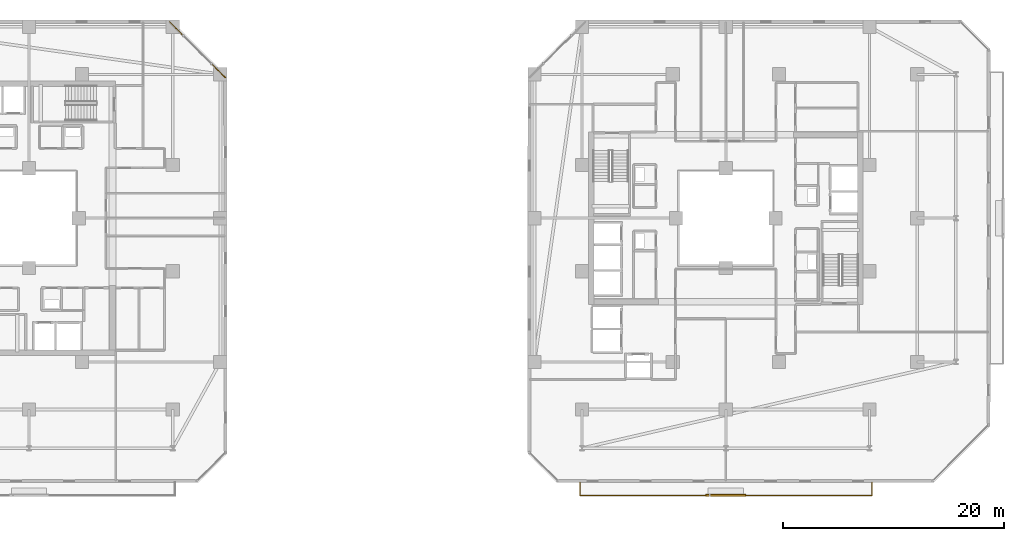
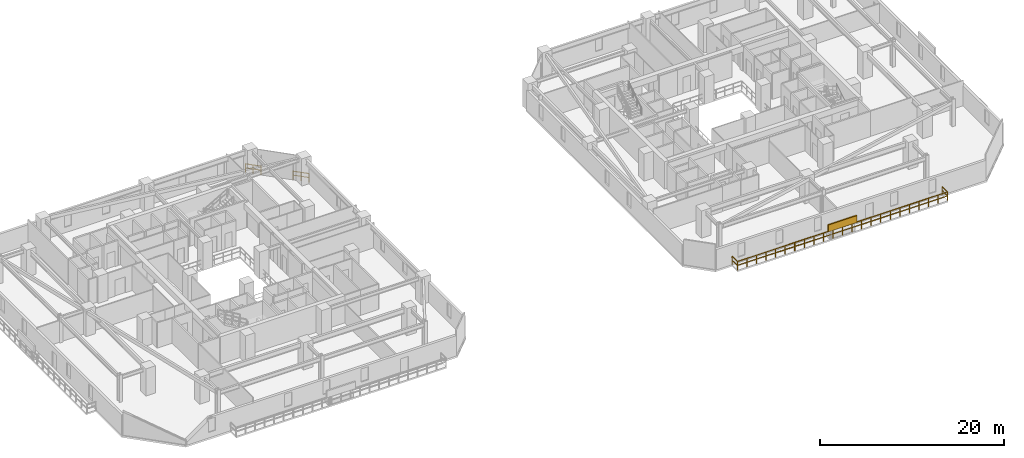
# One storey, part 31 of 33: 3 railings, 1 shading device.
"""IFC4 building model written with IfcOpenShell, lengths in metres."""

from ifc_helpers import new_model, si_unit, direction, frame, origin, origin_2d, place, context, subcontext, project, spatial, rectangle, extrude, material, type_object, element, save


model = new_model("IFC4")

# Units and contexts
model_context = context("Model", 3, precision=1e-05, world=origin(), true_north=direction((0.0, 1.0)))
body_context = subcontext(model_context, "Body", "Model", "MODEL_VIEW")
ifc_project = project(units=[si_unit("LENGTHUNIT", "METRE"), si_unit("AREAUNIT", "SQUARE_METRE"), si_unit("VOLUMEUNIT", "CUBIC_METRE"), si_unit("PLANEANGLEUNIT", "RADIAN"), si_unit("MASSUNIT", "GRAM", prefix="KILO")], contexts=[model_context])

# Site, building, storey
site_placement = place(None, origin())
site = spatial("IfcSite", under=ifc_project, at=site_placement, CompositionType="ELEMENT")
building_placement = place(site_placement, origin())
building = spatial("IfcBuilding", under=site, at=building_placement, Name="Thornwick Lancets Civic Towers", CompositionType="ELEMENT")
storey_placement = place(building_placement, frame((0.0, 0.0, 134.10009765625)))
storey = spatial("IfcBuildingStorey", under=building, at=storey_placement, Name="L35", CompositionType="ELEMENT", Elevation=134.10009765625)

# Railings
ifc_material_1 = material(Name="Terracotta-capped laminated glass balustrade S355", Category="masonry")
railing_type = type_object("IfcRailingType", Name="RAIL_TERR_GUARD", PredefinedType="GUARDRAIL", material=ifc_material_1)
for number, where, name in (
    (1, (43.25634765625, 39.699462890625, 0.0), "L35 Tower A Chamfer Spandrel Guard E3-1"),
    (2, (39.4619140625, 43.493896484375, 0.0), "L35 Tower A Chamfer Spandrel Guard E3-2"),
):
    element("IfcRailing", number, at=place(storey_placement, frame(where)), inside=storey, type_object=railing_type, Name=name, PredefinedType="GUARDRAIL", context=body_context, shape_type="SweptSolid", body=[
        extrude(rectangle(XDim=0.048095703125, YDim=0.048095703125, at=origin_2d()), frame((0.0, 0.0, 1.1259765625), z_axis=(-0.707106781187, 0.707106781187, 0.0), x_axis=(-0.707106781187, -0.707106781187, 0.0)), (0.0, 0.0, 1.0), 1.785400390625),
        extrude(rectangle(XDim=0.0419921875, YDim=0.0419921875, at=origin_2d()), frame((-0.026611328125, 0.026611328125, 0.597900390625), z_axis=(-0.707106781187, 0.707106781187, 0.0), x_axis=(-0.707106781187, -0.707106781187, 0.0)), (0.0, 0.0, 1.0), 0.817626953125),
        extrude(rectangle(XDim=0.0419921875, YDim=0.0419921875, at=origin_2d()), frame((-0.65771484375, 0.65771484375, 0.597900390625), z_axis=(-0.707106781187, 0.707106781187, 0.0), x_axis=(-0.707106781187, -0.707106781187, 0.0)), (0.0, 0.0, 1.0), 0.817626953125),
        extrude(rectangle(XDim=0.0419921875, YDim=0.0419921875, at=origin_2d()), origin(), (0.0, 0.0, 1.0), 1.095703125),
        extrude(rectangle(XDim=0.0419921875, YDim=0.0419921875, at=origin_2d()), frame((-0.63134765625, 0.63134765625, 0.0)), (0.0, 0.0, 1.0), 1.095703125),
        extrude(rectangle(XDim=0.0419921875, YDim=0.0419921875, at=origin_2d()), frame((-1.262451171875, 1.262451171875, 0.0)), (0.0, 0.0, 1.0), 1.095703125),
    ])
railing_placement = place(storey_placement, frame((75.300048828125, 3.10009765625, 0.0)))
element("IfcRailing", 3, at=railing_placement, inside=storey, type_object=railing_type, Name="L35 Tower B Balcony Guard S", PredefinedType="GUARDRAIL", context=body_context, shape_type="SweptSolid", body=[
    extrude(rectangle(XDim=0.048095703125, YDim=0.048095703125, at=origin_2d()), frame((0.0, 0.0, 1.1259765625), z_axis=(0.0, -1.0, 0.0), x_axis=(1.0, 0.0, 0.0)), (0.0, 0.0, 1.0), 1.138916015625),
    extrude(rectangle(XDim=0.0419921875, YDim=0.0419921875, at=origin_2d()), frame((0.0, -0.03759765625, 0.597900390625), z_axis=(0.0, -1.0, 0.0), x_axis=(1.0, 0.0, 0.0)), (0.0, 0.0, 1.0), 1.09521484375),
    extrude(rectangle(XDim=0.048095703125, YDim=0.048095703125, at=origin_2d()), frame((0.03125, -1.170166015625, 1.1259765625), z_axis=(1.0, 0.0, 0.0), x_axis=(0.0, 1.0, 0.0)), (0.0, 0.0, 1.0), 26.33740234375),
    extrude(rectangle(XDim=0.0419921875, YDim=0.0419921875, at=origin_2d()), frame((0.03759765625, -1.170166015625, 0.597900390625), z_axis=(1.0, 0.0, 0.0), x_axis=(0.0, 1.0, 0.0)), (0.0, 0.0, 1.0), 1.125),
    extrude(rectangle(XDim=0.0419921875, YDim=0.0419921875, at=origin_2d()), frame((1.237548828125, -1.170166015625, 0.597900390625), z_axis=(1.0, 0.0, 0.0), x_axis=(0.0, 1.0, 0.0)), (0.0, 0.0, 1.0), 1.125),
    extrude(rectangle(XDim=0.0419921875, YDim=0.0419921875, at=origin_2d()), frame((2.4375, -1.170166015625, 0.597900390625), z_axis=(1.0, 0.0, 0.0), x_axis=(0.0, 1.0, 0.0)), (0.0, 0.0, 1.0), 1.125),
    extrude(rectangle(XDim=0.0419921875, YDim=0.0419921875, at=origin_2d()), frame((3.637451171875, -1.170166015625, 0.597900390625), z_axis=(1.0, 0.0, 0.0), x_axis=(0.0, 1.0, 0.0)), (0.0, 0.0, 1.0), 1.125),
    extrude(rectangle(XDim=0.0419921875, YDim=0.0419921875, at=origin_2d()), frame((4.83740234375, -1.170166015625, 0.597900390625), z_axis=(1.0, 0.0, 0.0), x_axis=(0.0, 1.0, 0.0)), (0.0, 0.0, 1.0), 1.125),
    extrude(rectangle(XDim=0.0419921875, YDim=0.0419921875, at=origin_2d()), frame((6.037353515625, -1.170166015625, 0.597900390625), z_axis=(1.0, 0.0, 0.0), x_axis=(0.0, 1.0, 0.0)), (0.0, 0.0, 1.0), 1.125),
    extrude(rectangle(XDim=0.0419921875, YDim=0.0419921875, at=origin_2d()), frame((7.237548828125, -1.170166015625, 0.597900390625), z_axis=(1.0, 0.0, 0.0), x_axis=(0.0, 1.0, 0.0)), (0.0, 0.0, 1.0), 1.125),
    extrude(rectangle(XDim=0.0419921875, YDim=0.0419921875, at=origin_2d()), frame((8.4375, -1.170166015625, 0.597900390625), z_axis=(1.0, 0.0, 0.0), x_axis=(0.0, 1.0, 0.0)), (0.0, 0.0, 1.0), 1.125),
    extrude(rectangle(XDim=0.0419921875, YDim=0.0419921875, at=origin_2d()), frame((9.637451171875, -1.170166015625, 0.597900390625), z_axis=(1.0, 0.0, 0.0), x_axis=(0.0, 1.0, 0.0)), (0.0, 0.0, 1.0), 1.125),
    extrude(rectangle(XDim=0.0419921875, YDim=0.0419921875, at=origin_2d()), frame((10.83740234375, -1.170166015625, 0.597900390625), z_axis=(1.0, 0.0, 0.0), x_axis=(0.0, 1.0, 0.0)), (0.0, 0.0, 1.0), 1.125),
    extrude(rectangle(XDim=0.0419921875, YDim=0.0419921875, at=origin_2d()), frame((12.037353515625, -1.170166015625, 0.597900390625), z_axis=(1.0, 0.0, 0.0), x_axis=(0.0, 1.0, 0.0)), (0.0, 0.0, 1.0), 1.125),
    extrude(rectangle(XDim=0.0419921875, YDim=0.0419921875, at=origin_2d()), frame((13.237548828125, -1.170166015625, 0.597900390625), z_axis=(1.0, 0.0, 0.0), x_axis=(0.0, 1.0, 0.0)), (0.0, 0.0, 1.0), 1.125),
    extrude(rectangle(XDim=0.0419921875, YDim=0.0419921875, at=origin_2d()), frame((14.4375, -1.170166015625, 0.597900390625), z_axis=(1.0, 0.0, 0.0), x_axis=(0.0, 1.0, 0.0)), (0.0, 0.0, 1.0), 1.125),
    extrude(rectangle(XDim=0.0419921875, YDim=0.0419921875, at=origin_2d()), frame((15.637451171875, -1.170166015625, 0.597900390625), z_axis=(1.0, 0.0, 0.0), x_axis=(0.0, 1.0, 0.0)), (0.0, 0.0, 1.0), 1.125),
    extrude(rectangle(XDim=0.0419921875, YDim=0.0419921875, at=origin_2d()), frame((16.83740234375, -1.170166015625, 0.597900390625), z_axis=(1.0, 0.0, 0.0), x_axis=(0.0, 1.0, 0.0)), (0.0, 0.0, 1.0), 1.125),
    extrude(rectangle(XDim=0.0419921875, YDim=0.0419921875, at=origin_2d()), frame((18.037353515625, -1.170166015625, 0.597900390625), z_axis=(1.0, 0.0, 0.0), x_axis=(0.0, 1.0, 0.0)), (0.0, 0.0, 1.0), 1.125),
    extrude(rectangle(XDim=0.0419921875, YDim=0.0419921875, at=origin_2d()), frame((19.2373046875, -1.170166015625, 0.597900390625), z_axis=(1.0, 0.0, 0.0), x_axis=(0.0, 1.0, 0.0)), (0.0, 0.0, 1.0), 1.125),
    extrude(rectangle(XDim=0.0419921875, YDim=0.0419921875, at=origin_2d()), frame((20.4375, -1.170166015625, 0.597900390625), z_axis=(1.0, 0.0, 0.0), x_axis=(0.0, 1.0, 0.0)), (0.0, 0.0, 1.0), 1.125),
    extrude(rectangle(XDim=0.0419921875, YDim=0.0419921875, at=origin_2d()), frame((21.637451171875, -1.170166015625, 0.597900390625), z_axis=(1.0, 0.0, 0.0), x_axis=(0.0, 1.0, 0.0)), (0.0, 0.0, 1.0), 1.125),
    extrude(rectangle(XDim=0.0419921875, YDim=0.0419921875, at=origin_2d()), frame((22.83740234375, -1.170166015625, 0.597900390625), z_axis=(1.0, 0.0, 0.0), x_axis=(0.0, 1.0, 0.0)), (0.0, 0.0, 1.0), 1.125),
    extrude(rectangle(XDim=0.0419921875, YDim=0.0419921875, at=origin_2d()), frame((24.037353515625, -1.170166015625, 0.597900390625), z_axis=(1.0, 0.0, 0.0), x_axis=(0.0, 1.0, 0.0)), (0.0, 0.0, 1.0), 1.125),
    extrude(rectangle(XDim=0.0419921875, YDim=0.0419921875, at=origin_2d()), frame((25.2373046875, -1.170166015625, 0.597900390625), z_axis=(1.0, 0.0, 0.0), x_axis=(0.0, 1.0, 0.0)), (0.0, 0.0, 1.0), 1.125),
    extrude(rectangle(XDim=0.048095703125, YDim=0.048095703125, at=origin_2d()), frame((26.39990234375, -1.138916015625, 1.1259765625), z_axis=(0.0, 1.0, 0.0), x_axis=(-1.0, 0.0, 0.0)), (0.0, 0.0, 1.0), 1.138916015625),
    extrude(rectangle(XDim=0.0419921875, YDim=0.0419921875, at=origin_2d()), frame((26.39990234375, -1.132568359375, 0.597900390625), z_axis=(0.0, 1.0, 0.0), x_axis=(-1.0, 0.0, 0.0)), (0.0, 0.0, 1.0), 1.09521484375),
    extrude(rectangle(XDim=0.0419921875, YDim=0.0419921875, at=origin_2d()), origin(), (0.0, 0.0, 1.0), 1.095703125),
    extrude(rectangle(XDim=0.0419921875, YDim=0.0419921875, at=origin_2d()), frame((0.0, -1.170166015625, 0.0)), (0.0, 0.0, 1.0), 1.095703125),
    extrude(rectangle(XDim=0.0419921875, YDim=0.0419921875, at=origin_2d()), frame((1.199951171875, -1.170166015625, 0.0)), (0.0, 0.0, 1.0), 1.095703125),
    extrude(rectangle(XDim=0.0419921875, YDim=0.0419921875, at=origin_2d()), frame((2.39990234375, -1.170166015625, 0.0)), (0.0, 0.0, 1.0), 1.095703125),
    extrude(rectangle(XDim=0.0419921875, YDim=0.0419921875, at=origin_2d()), frame((3.60009765625, -1.170166015625, 0.0)), (0.0, 0.0, 1.0), 1.095703125),
    extrude(rectangle(XDim=0.0419921875, YDim=0.0419921875, at=origin_2d()), frame((4.800048828125, -1.170166015625, 0.0)), (0.0, 0.0, 1.0), 1.095703125),
    extrude(rectangle(XDim=0.0419921875, YDim=0.0419921875, at=origin_2d()), frame((6.0, -1.170166015625, 0.0)), (0.0, 0.0, 1.0), 1.095703125),
    extrude(rectangle(XDim=0.0419921875, YDim=0.0419921875, at=origin_2d()), frame((7.199951171875, -1.170166015625, 0.0)), (0.0, 0.0, 1.0), 1.095703125),
    extrude(rectangle(XDim=0.0419921875, YDim=0.0419921875, at=origin_2d()), frame((8.39990234375, -1.170166015625, 0.0)), (0.0, 0.0, 1.0), 1.095703125),
    extrude(rectangle(XDim=0.0419921875, YDim=0.0419921875, at=origin_2d()), frame((9.599853515625, -1.170166015625, 0.0)), (0.0, 0.0, 1.0), 1.095703125),
    extrude(rectangle(XDim=0.0419921875, YDim=0.0419921875, at=origin_2d()), frame((10.800048828125, -1.170166015625, 0.0)), (0.0, 0.0, 1.0), 1.095703125),
    extrude(rectangle(XDim=0.0419921875, YDim=0.0419921875, at=origin_2d()), frame((12.0, -1.170166015625, 0.0)), (0.0, 0.0, 1.0), 1.095703125),
    extrude(rectangle(XDim=0.0419921875, YDim=0.0419921875, at=origin_2d()), frame((13.199951171875, -1.170166015625, 0.0)), (0.0, 0.0, 1.0), 1.095703125),
    extrude(rectangle(XDim=0.0419921875, YDim=0.0419921875, at=origin_2d()), frame((14.39990234375, -1.170166015625, 0.0)), (0.0, 0.0, 1.0), 1.095703125),
    extrude(rectangle(XDim=0.0419921875, YDim=0.0419921875, at=origin_2d()), frame((15.599853515625, -1.170166015625, 0.0)), (0.0, 0.0, 1.0), 1.095703125),
    extrude(rectangle(XDim=0.0419921875, YDim=0.0419921875, at=origin_2d()), frame((16.800048828125, -1.170166015625, 0.0)), (0.0, 0.0, 1.0), 1.095703125),
    extrude(rectangle(XDim=0.0419921875, YDim=0.0419921875, at=origin_2d()), frame((18.0, -1.170166015625, 0.0)), (0.0, 0.0, 1.0), 1.095703125),
    extrude(rectangle(XDim=0.0419921875, YDim=0.0419921875, at=origin_2d()), frame((19.199951171875, -1.170166015625, 0.0)), (0.0, 0.0, 1.0), 1.095703125),
    extrude(rectangle(XDim=0.0419921875, YDim=0.0419921875, at=origin_2d()), frame((20.39990234375, -1.170166015625, 0.0)), (0.0, 0.0, 1.0), 1.095703125),
    extrude(rectangle(XDim=0.0419921875, YDim=0.0419921875, at=origin_2d()), frame((21.599853515625, -1.170166015625, 0.0)), (0.0, 0.0, 1.0), 1.095703125),
    extrude(rectangle(XDim=0.0419921875, YDim=0.0419921875, at=origin_2d()), frame((22.7998046875, -1.170166015625, 0.0)), (0.0, 0.0, 1.0), 1.095703125),
    extrude(rectangle(XDim=0.0419921875, YDim=0.0419921875, at=origin_2d()), frame((24.0, -1.170166015625, 0.0)), (0.0, 0.0, 1.0), 1.095703125),
    extrude(rectangle(XDim=0.0419921875, YDim=0.0419921875, at=origin_2d()), frame((25.199951171875, -1.170166015625, 0.0)), (0.0, 0.0, 1.0), 1.095703125),
    extrude(rectangle(XDim=0.0419921875, YDim=0.0419921875, at=origin_2d()), frame((26.39990234375, -1.170166015625, 0.0)), (0.0, 0.0, 1.0), 1.095703125),
    extrude(rectangle(XDim=0.0419921875, YDim=0.0419921875, at=origin_2d()), frame((26.39990234375, 0.0, 0.0)), (0.0, 0.0, 1.0), 1.095703125),
])

# Shading device
ifc_material_2 = material(Name="Extruded terracotta baguette solar screen", Category="masonry")
shading_device_type = type_object("IfcShadingDeviceType", Name="SHADE_BAGUETTE", PredefinedType="JALOUSIE", material=ifc_material_2)
shading_device_placement = place(storey_placement, frame((88.5, 1.93994140625, 1.119873046875), z_axis=(0.0, 0.0, 1.0), x_axis=(1.0, 0.0, 0.0)))
element("IfcShadingDevice", 4, at=shading_device_placement, inside=storey, type_object=shading_device_type, Name="L35 Tower B Terracotta Baguette Screen S", PredefinedType="JALOUSIE", context=body_context, shape_type="SweptSolid", body=[
    extrude(rectangle(XDim=3.60009765625, YDim=0.179931640625, at=origin_2d()), origin(), (0.0, 0.0, 1.0), 0.89990234375),
])

save(model, "model.ifc")
